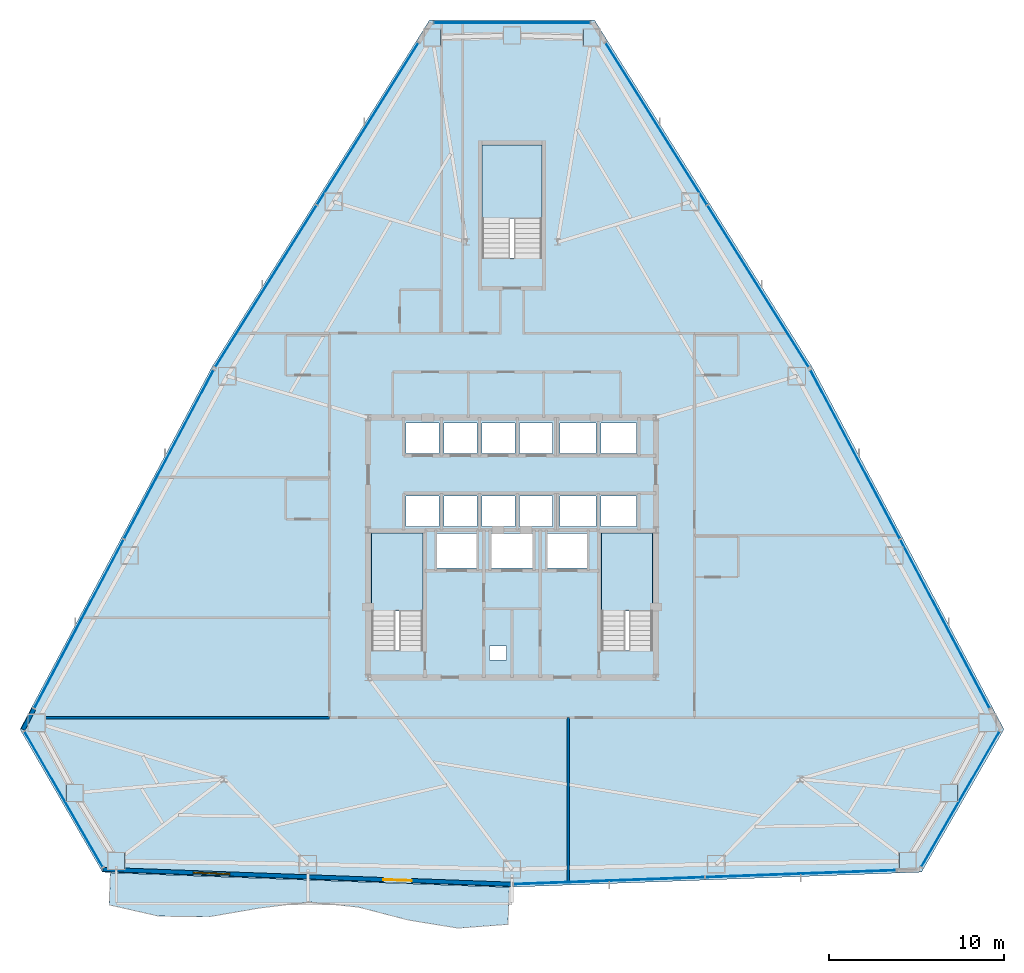
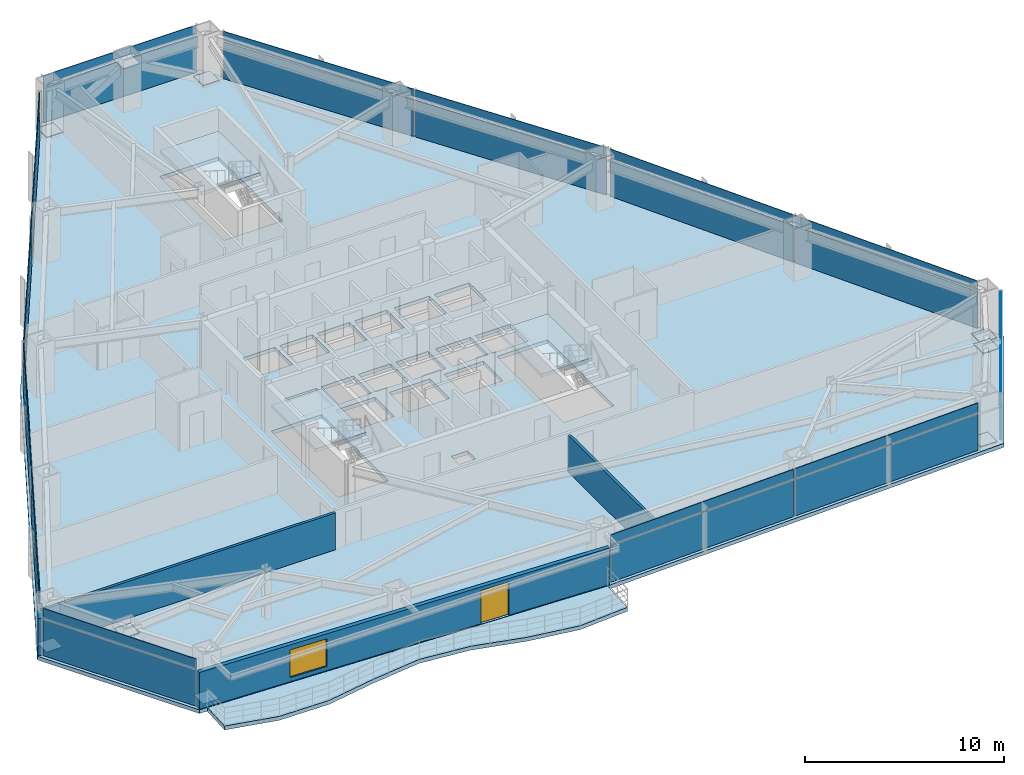
# One storey, part 8 of 13: 35 plates, 5 slabs, 4 walls, 1 door, 1 window, 2 openings, 11 elements without a shape of their own.
"""IFC4 building model written with IfcOpenShell, lengths in metres."""

from ifc_helpers import new_model, si_unit, direction, frame, frame_2d, origin, origin_2d, place, context, subcontext, project, spatial, polyline, rectangle, outline, extrude, source, transform, mapped, material, layer, layer_set, type_object, type_shapes, element, fill, aggregate, save


model = new_model("IFC4")

# Units and contexts
model_context = context("Model", 3, precision=1e-05, world=origin(), true_north=direction((0.0, 1.0)))
body_context = subcontext(model_context, "Body", "Model", "MODEL_VIEW")
ifc_project = project(units=[si_unit("LENGTHUNIT", "METRE"), si_unit("AREAUNIT", "SQUARE_METRE"), si_unit("VOLUMEUNIT", "CUBIC_METRE"), si_unit("PLANEANGLEUNIT", "RADIAN"), si_unit("MASSUNIT", "GRAM", prefix="KILO")], contexts=[model_context])

# Site, building, storey
site_placement = place(None, origin())
site = spatial("IfcSite", under=ifc_project, at=site_placement, CompositionType="ELEMENT")
building_placement = place(site_placement, origin())
building = spatial("IfcBuilding", under=site, at=building_placement, Name="Varakhsha Concourse Tower", CompositionType="ELEMENT")
storey_placement = place(building_placement, frame((0.0, 0.0, 92.60009765625)))
storey = spatial("IfcBuildingStorey", under=building, at=storey_placement, Name="L26", CompositionType="ELEMENT", Elevation=92.60009765625)

# Slab
ifc_material_1 = material(Name="Concrete fc 45 MPa", Category="concrete")
ifc_layer_1 = layer(ifc_material_1, 0.22998046875, Name="SL-FLR-230")
ifc_layer_set_1 = layer_set([ifc_layer_1], Name="Concrete fc 45 MPa")
slab_type_1 = type_object("IfcSlabType", Name="SL-FLR-230", PredefinedType="FLOOR", material=ifc_layer_set_1)
slab_1_placement = place(storey_placement, frame((0.0, 0.0, -0.22998046875)))
element("IfcSlab", 1, at=slab_1_placement, inside=storey, type_object=slab_type_1, Name="L26 Composite Structural Slab", PredefinedType="FLOOR", context=body_context, shape_type="SweptSolid", body=[
    extrude(outline(polyline([(44.699951171875, 53.859375), (35.300048828125, 53.859375), (22.8955078125, 34.0751953125), (11.964111328125, 13.440673828125), (16.664306640625, 5.300048828125), (40.0, 4.449462890625), (63.335693359375, 5.300048828125), (68.035888671875, 13.440673828125), (57.1044921875, 34.0751953125), (44.699951171875, 53.859375)]), holes=[polyline([(34.919921875, 17.93994140625), (34.919921875, 24.6298828125), (32.0, 24.6298828125), (32.0, 17.93994140625), (34.919921875, 17.93994140625)]), polyline([(48.02001953125, 17.93994140625), (48.02001953125, 24.6298828125), (45.10009765625, 24.6298828125), (45.10009765625, 17.93994140625), (48.02001953125, 17.93994140625)]), polyline([(41.699951171875, 40.300048828125), (41.699951171875, 46.75), (38.300048828125, 46.75), (38.300048828125, 40.300048828125), (41.699951171875, 40.300048828125)]), polyline([(33.9599609375, 29.159912109375), (35.840087890625, 29.159912109375), (35.840087890625, 30.89990234375), (33.9599609375, 30.89990234375), (33.9599609375, 29.159912109375)]), polyline([(36.1201171875, 29.159912109375), (38.0, 29.159912109375), (38.0, 30.89990234375), (36.1201171875, 30.89990234375), (36.1201171875, 29.159912109375)]), polyline([(38.280029296875, 29.159912109375), (40.159912109375, 29.159912109375), (40.159912109375, 30.89990234375), (38.280029296875, 30.89990234375), (38.280029296875, 29.159912109375)]), polyline([(40.43994140625, 29.159912109375), (42.320068359375, 29.159912109375), (42.320068359375, 30.89990234375), (40.43994140625, 30.89990234375), (40.43994140625, 29.159912109375)]), polyline([(33.9599609375, 25.0), (35.840087890625, 25.0), (35.840087890625, 26.739990234375), (33.9599609375, 26.739990234375), (33.9599609375, 25.0)]), polyline([(36.1201171875, 25.0), (38.0, 25.0), (38.0, 26.739990234375), (36.1201171875, 26.739990234375), (36.1201171875, 25.0)]), polyline([(38.280029296875, 25.0), (40.159912109375, 25.0), (40.159912109375, 26.739990234375), (38.280029296875, 26.739990234375), (38.280029296875, 25.0)]), polyline([(40.43994140625, 25.0), (42.320068359375, 25.0), (42.320068359375, 26.739990234375), (40.43994140625, 26.739990234375), (40.43994140625, 25.0)]), polyline([(42.739990234375, 29.159912109375), (44.780029296875, 29.159912109375), (44.780029296875, 30.89990234375), (42.739990234375, 30.89990234375), (42.739990234375, 29.159912109375)]), polyline([(45.06005859375, 29.159912109375), (47.10009765625, 29.159912109375), (47.10009765625, 30.89990234375), (45.06005859375, 30.89990234375), (45.06005859375, 29.159912109375)]), polyline([(42.739990234375, 25.0), (44.780029296875, 25.0), (44.780029296875, 26.739990234375), (42.739990234375, 26.739990234375), (42.739990234375, 25.0)]), polyline([(45.06005859375, 25.0), (47.10009765625, 25.0), (47.10009765625, 26.739990234375), (45.06005859375, 26.739990234375), (45.06005859375, 25.0)]), polyline([(35.7099609375, 22.639892578125), (37.989990234375, 22.639892578125), (37.989990234375, 24.60009765625), (35.7099609375, 24.60009765625), (35.7099609375, 22.639892578125)]), polyline([(42.010009765625, 22.639892578125), (44.2900390625, 22.639892578125), (44.2900390625, 24.60009765625), (42.010009765625, 24.60009765625), (42.010009765625, 22.639892578125)]), polyline([(38.81005859375, 22.639892578125), (41.18994140625, 22.639892578125), (41.18994140625, 24.60009765625), (38.81005859375, 24.60009765625), (38.81005859375, 22.639892578125)]), polyline([(38.719970703125, 17.39990234375), (39.679931640625, 17.39990234375), (39.679931640625, 18.199951171875), (38.719970703125, 18.199951171875), (38.719970703125, 17.39990234375)])]), origin(), (0.0, 0.0, 1.0), 0.22998046875),
])

# Stair, slab
stair_type_1 = type_object("IfcStairType", Name="ST-DOGLEG-1360", PredefinedType="HALF_TURN_STAIR", material=ifc_material_1)
stair_1_placement = place(storey_placement, origin())
stair_1 = element("IfcStair", 2, at=stair_1_placement, inside=storey, type_object=stair_type_1, Name="L26 Protected Exit Stair ST1", PredefinedType="HALF_TURN_STAIR")
ifc_layer_2 = layer(ifc_material_1, 0.199951171875, Name="SL-LAND-200")
ifc_layer_set_2 = layer_set([ifc_layer_2], Name="Concrete fc 45 MPa")
slab_type_2 = type_object("IfcSlabType", Name="SL-LAND-200", PredefinedType="LANDING", material=ifc_layer_set_2)
slab_2_placement = place(storey_placement, frame((0.0, 0.0, 1.39990234375)))
slab_2 = element("IfcSlab", 3, at=slab_2_placement, type_object=slab_type_2, Name="ST1 landing 1", PredefinedType="LANDING", context=body_context, shape_type="SweptSolid", body=[
    extrude(outline(polyline([(34.919921875, 20.179931640625), (34.919921875, 24.6298828125), (32.0, 24.6298828125), (32.0, 20.179931640625), (34.919921875, 20.179931640625)])), origin(), (0.0, 0.0, 1.0), 0.199951171875),
])
aggregate(stair_1, [slab_2])

stair_2_placement = place(storey_placement, origin())
stair_2 = element("IfcStair", 4, at=stair_2_placement, inside=storey, type_object=stair_type_1, Name="L26 Protected Exit Stair ST2", PredefinedType="HALF_TURN_STAIR")
slab_3_placement = place(storey_placement, frame((0.0, 0.0, 1.39990234375)))
slab_3 = element("IfcSlab", 5, at=slab_3_placement, type_object=slab_type_2, Name="ST2 landing 1", PredefinedType="LANDING", context=body_context, shape_type="SweptSolid", body=[
    extrude(outline(polyline([(48.02001953125, 20.179931640625), (48.02001953125, 24.6298828125), (45.10009765625, 24.6298828125), (45.10009765625, 20.179931640625), (48.02001953125, 20.179931640625)])), origin(), (0.0, 0.0, 1.0), 0.199951171875),
])
aggregate(stair_2, [slab_3])

stair_type_2 = type_object("IfcStairType", Name="ST-DOGLEG-1600", PredefinedType="HALF_TURN_STAIR", material=ifc_material_1)
stair_3_placement = place(storey_placement, origin())
stair_3 = element("IfcStair", 6, at=stair_3_placement, inside=storey, type_object=stair_type_2, Name="L26 Protected Exit Stair ST5", PredefinedType="HALF_TURN_STAIR")
slab_4_placement = place(storey_placement, frame((0.0, 0.0, 1.39990234375)))
slab_4 = element("IfcSlab", 7, at=slab_4_placement, type_object=slab_type_2, Name="ST5 landing 1", PredefinedType="LANDING", context=body_context, shape_type="SweptSolid", body=[
    extrude(outline(polyline([(41.699951171875, 42.5400390625), (41.699951171875, 46.75), (38.300048828125, 46.75), (38.300048828125, 42.5400390625), (41.699951171875, 42.5400390625)])), origin(), (0.0, 0.0, 1.0), 0.199951171875),
])
aggregate(stair_3, [slab_4])

# Slab
ifc_layer_3 = layer(ifc_material_1, 0.239990234375, Name="SL-TERR-240")
ifc_layer_set_3 = layer_set([ifc_layer_3], Name="Concrete fc 45 MPa")
slab_type_3 = type_object("IfcSlabType", Name="SL-TERR-240", PredefinedType="FLOOR", material=ifc_layer_set_3)
slab_5_placement = place(storey_placement, frame((0.0, 0.0, -0.239990234375)))
element("IfcSlab", 8, at=slab_5_placement, inside=storey, type_object=slab_type_3, Name="L26 Hotel Wave Sky-Loggia Balcony", PredefinedType="FLOOR", context=body_context, shape_type="SweptSolid", body=[
    extrude(outline(polyline([(17.11328125, 5.2685546875), (39.849609375, 4.43994140625), (39.7724609375, 2.32373046875), (36.9189453125, 2.110595703125), (34.08984375, 2.5703125), (31.270751953125, 3.302734375), (28.435791015625, 3.602294921875), (25.5771484375, 3.248291015625), (22.71337890625, 2.7548828125), (19.868896484375, 2.79248046875), (17.04638671875, 3.434814453125), (17.11328125, 5.2685546875)])), origin(), (0.0, 0.0, 1.0), 0.239990234375),
])

# Plates
ifc_material_2 = material(Name="Structural Steel ASTM A572 Grade 50", Category="steel")
ifc_layer_4 = layer(ifc_material_2, 0.030029296875, Name="PL-ENDCAP-950")
ifc_layer_set_4 = layer_set([ifc_layer_4], Name="Structural Steel ASTM A572 Grade 50")
plate_type_1 = type_object("IfcPlateType", Name="PL-ENDCAP-950", PredefinedType="USERDEFINED", material=ifc_layer_set_4)
shared_shape_1 = source(origin(), body_context, "Body", "SweptSolid", [
    extrude(rectangle(XDim=0.949951171875, YDim=0.949951171875, at=origin_2d()), origin(), (0.0, 0.0, 1.0), 0.030029296875),
])
type_shapes(plate_type_1, [shared_shape_1])
for number, where, z_axis, x_axis, name in (
    (9, (44.54150390625, 52.85986328125, 0.10498046875), (0.0, 0.0, 1.0), (1.0, 0.0, 0.0), "Hollow Section End Cap GP-NODE-L26-0244"),
    (10, (40.0, 52.9794921875, 2.65478515625), (0.0, 0.0, 1.0), (1.0, 0.0, 0.0), "Hollow Section End Cap GP-NODE-L26-0245"),
    (11, (35.45849609375, 52.85986328125, 0.10498046875), (0.0, 0.0, 1.0), (1.0, 0.0, 0.0), "Hollow Section End Cap GP-NODE-L26-0246"),
    (12, (12.908935546875, 13.80322265625, 0.10498046875), (0.0, 0.0, 1.0), (1.0, 0.0, 0.0), "Hollow Section End Cap GP-NODE-L26-0247"),
    (13, (15.076416015625, 9.810302734375, 2.65478515625), (0.0, 0.0, 1.0), (1.0, 0.0, 0.0), "Hollow Section End Cap GP-NODE-L26-0248"),
    (14, (17.45068359375, 5.93701171875, 0.10498046875), (0.0, 0.0, 1.0), (1.0, 0.0, 0.0), "Hollow Section End Cap GP-NODE-L26-0249"),
    (15, (62.54931640625, 5.93701171875, 0.10498046875), (0.0, 0.0, 1.0), (1.0, 0.0, 0.0), "Hollow Section End Cap GP-NODE-L26-0250"),
    (16, (64.923583984375, 9.810302734375, 2.65478515625), (0.0, 0.0, 1.0), (1.0, 0.0, 0.0), "Hollow Section End Cap GP-NODE-L26-0251"),
    (17, (67.091064453125, 13.80322265625, 0.10498046875), (0.0, 0.0, 1.0), (1.0, 0.0, 0.0), "Hollow Section End Cap GP-NODE-L26-0252"),
):
    element("IfcPlate", number, at=place(storey_placement, frame(where, z_axis=z_axis, x_axis=x_axis)), inside=storey, type_object=plate_type_1, Name=name, ObjectType="END PLATE", PredefinedType="USERDEFINED", context=body_context, shape_type="MappedRepresentation", body=[
        mapped(shared_shape_1, transform((0.0, 0.0, 0.0), scale=1.0)),
    ])

# Curtain wall, plate
ifc_material_3 = material(Name="Anodised Bronze Architectural Aluminium AA 6063-T6", Category="aluminium")
ifc_layer_5 = layer(ifc_material_3, 0.199951171875, Name="CW-SYS-03")
ifc_layer_set_5 = layer_set([ifc_layer_5], Name="Anodised Bronze Architectural Aluminium AA 6063-T6")
curtain_wall_type = type_object("IfcCurtainWallType", Name="CW-SYS-03", PredefinedType="NOTDEFINED", material=ifc_layer_set_5)
curtain_wall_1_placement = place(storey_placement, origin())
curtain_wall_1 = element("IfcCurtainWall", 18, at=curtain_wall_1_placement, inside=storey, type_object=curtain_wall_type, Name="L26 Chamfer Curtain Wall F1", PredefinedType="NOTDEFINED")
ifc_material_4 = material(Name="Insulated Anodised Bronze Aluminium Spandrel 36 mm", Category="aluminium")
ifc_layer_6 = layer(ifc_material_4, 0.035888671875, Name="CWP-SPN-36")
ifc_layer_set_6 = layer_set([ifc_layer_6], Name="Insulated Anodised Bronze Aluminium Spandrel 36 mm")
plate_type_2 = type_object("IfcPlateType", Name="CWP-SPN-36", PredefinedType="USERDEFINED", material=ifc_layer_set_6)
shared_shape_2 = source(origin(), body_context, "Body", "SweptSolid", [
    extrude(rectangle(XDim=8.881103515625, YDim=0.035888671875, at=origin_2d()), origin(), (0.0, 0.0, 1.0), 2.2509765625),
])
type_shapes(plate_type_2, [shared_shape_2])
plate_1_placement = place(storey_placement, frame((40.0, 53.699462890625, 0.034423828125), z_axis=(0.0, 0.0, 1.0), x_axis=(1.0, 0.0, 0.0)))
plate_1 = element("IfcPlate", 19, at=plate_1_placement, type_object=plate_type_2, Name="CW-L26-F1 Panel 00-00", ObjectType="SPANDREL", PredefinedType="USERDEFINED", context=body_context, shape_type="MappedRepresentation", body=[
    mapped(shared_shape_2, transform((0.0, 0.0, 0.0), scale=1.0)),
])

curtain_wall_2_placement = place(storey_placement, origin())
curtain_wall_2 = element("IfcCurtainWall", 20, at=curtain_wall_2_placement, inside=storey, type_object=curtain_wall_type, Name="L26 Chamfer Curtain Wall F4", PredefinedType="NOTDEFINED")
plate_2_placement = place(storey_placement, frame((14.452880859375, 9.4501953125, 0.034423828125), z_axis=(0.0, 0.0, 1.0), x_axis=(-0.5, 0.866025403784, 0.0)))
plate_2 = element("IfcPlate", 21, at=plate_2_placement, type_object=plate_type_2, Name="CW-L26-F4 Panel 00-00", ObjectType="SPANDREL", PredefinedType="USERDEFINED", context=body_context, shape_type="MappedRepresentation", body=[
    mapped(shared_shape_2, transform((0.0, 0.0, 0.0), scale=1.0)),
])

curtain_wall_3_placement = place(storey_placement, origin())
curtain_wall_3 = element("IfcCurtainWall", 22, at=curtain_wall_3_placement, inside=storey, type_object=curtain_wall_type, Name="L26 Chamfer Curtain Wall F7", PredefinedType="NOTDEFINED")
plate_3_placement = place(storey_placement, frame((65.547119140625, 9.4501953125, 0.034423828125), z_axis=(0.0, 0.0, 1.0), x_axis=(-0.5, -0.866025403784, 0.0)))
plate_3 = element("IfcPlate", 23, at=plate_3_placement, type_object=plate_type_2, Name="CW-L26-F7 Panel 00-00", ObjectType="SPANDREL", PredefinedType="USERDEFINED", context=body_context, shape_type="MappedRepresentation", body=[
    mapped(shared_shape_2, transform((0.0, 0.0, 0.0), scale=1.0)),
])

# Plate
ifc_material_5 = material(Name="Glazed Turquoise-Bronze Ceramic Spandrel Panel 38 mm", Category="ceramic")
ifc_layer_7 = layer(ifc_material_5, 0.0380859375, Name="CWP-SPN-38")
ifc_layer_set_7 = layer_set([ifc_layer_7], Name="Glazed Turquoise-Bronze Ceramic Spandrel Panel 38 mm")
plate_type_3 = type_object("IfcPlateType", Name="CWP-SPN-38", PredefinedType="USERDEFINED", material=ifc_layer_set_7)
shared_shape_3 = source(origin(), body_context, "Body", "SweptSolid", [
    extrude(rectangle(XDim=8.881103515625, YDim=0.0380859375, at=origin_2d()), origin(), (0.0, 0.0, 1.0), 0.5810546875),
])
plate_4_placement = place(storey_placement, frame((40.0, 53.699462890625, 2.3544921875), z_axis=(0.0, 0.0, 1.0), x_axis=(1.0, 0.0, 0.0)))
plate_4 = element("IfcPlate", 24, at=plate_4_placement, type_object=plate_type_3, Name="CW-L26-F1 Panel 00-01", ObjectType="SPANDREL", PredefinedType="USERDEFINED", context=body_context, shape_type="MappedRepresentation", body=[
    mapped(shared_shape_3, transform((0.0, 0.0, 0.0), scale=1.0)),
])

aggregate(curtain_wall_1, [plate_1, plate_4])

plate_5_placement = place(storey_placement, frame((14.452880859375, 9.4501953125, 2.3544921875), z_axis=(0.0, 0.0, 1.0), x_axis=(-0.5, 0.866025403784, 0.0)))
plate_5 = element("IfcPlate", 25, at=plate_5_placement, type_object=plate_type_3, Name="CW-L26-F4 Panel 00-01", ObjectType="SPANDREL", PredefinedType="USERDEFINED", context=body_context, shape_type="MappedRepresentation", body=[
    mapped(shared_shape_3, transform((0.0, 0.0, 0.0), scale=1.0)),
])

aggregate(curtain_wall_2, [plate_2, plate_5])

plate_6_placement = place(storey_placement, frame((65.547119140625, 9.4501953125, 2.3544921875), z_axis=(0.0, 0.0, 1.0), x_axis=(-0.5, -0.866025403784, 0.0)))
plate_6 = element("IfcPlate", 26, at=plate_6_placement, type_object=plate_type_3, Name="CW-L26-F7 Panel 00-01", ObjectType="SPANDREL", PredefinedType="USERDEFINED", context=body_context, shape_type="MappedRepresentation", body=[
    mapped(shared_shape_3, transform((0.0, 0.0, 0.0), scale=1.0)),
])

aggregate(curtain_wall_3, [plate_3, plate_6])

# Curtain wall, plates
curtain_wall_4_placement = place(storey_placement, origin())
curtain_wall_4 = element("IfcCurtainWall", 27, at=curtain_wall_4_placement, inside=storey, type_object=curtain_wall_type, Name="L26 Crystal Curtain Wall F2", PredefinedType="NOTDEFINED")
ifc_material_6 = material(Name="Low-E Triple Insulating Glass IGU 44 mm", Category="glass")
ifc_layer_8 = layer(ifc_material_6, 0.0439453125, Name="CWP-IGU-44")
ifc_layer_set_8 = layer_set([ifc_layer_8], Name="Low-E Triple Insulating Glass IGU 44 mm")
plate_type_4 = type_object("IfcPlateType", Name="CWP-IGU-44", PredefinedType="CURTAIN_PANEL", material=ifc_layer_set_8)
shared_shape_4 = source(origin(), body_context, "Body", "SweptSolid", [
    extrude(rectangle(XDim=10.8466796875, YDim=0.0439453125, at=origin_2d()), origin(), (0.0, 0.0, 1.0), 2.2509765625),
])
type_shapes(plate_type_4, [shared_shape_4])
plate_7_placement = place(storey_placement, frame((25.9755859375, 38.686279296875, 0.034423828125), z_axis=(0.0, 0.0, 1.0), x_axis=(0.531209317405, 0.847240615824, 0.0)))
plate_7 = element("IfcPlate", 28, at=plate_7_placement, type_object=plate_type_4, Name="CW-L26-F2 Panel 00-00", PredefinedType="CURTAIN_PANEL", context=body_context, shape_type="MappedRepresentation", body=[
    mapped(shared_shape_4, transform((0.0, 0.0, 0.0), scale=1.0)),
])
plate_8_placement = place(storey_placement, frame((31.779296875, 47.943115234375, 0.034423828125), z_axis=(0.0, 0.0, 1.0), x_axis=(0.531209317405, 0.847240615824, 0.0)))
plate_8 = element("IfcPlate", 29, at=plate_8_placement, type_object=plate_type_4, Name="CW-L26-F2 Panel 01-00", PredefinedType="CURTAIN_PANEL", context=body_context, shape_type="MappedRepresentation", body=[
    mapped(shared_shape_4, transform((0.0, 0.0, 0.0), scale=1.0)),
])

curtain_wall_5_placement = place(storey_placement, origin())
curtain_wall_5 = element("IfcCurtainWall", 30, at=curtain_wall_5_placement, inside=storey, type_object=curtain_wall_type, Name="L26 Crystal Curtain Wall F3", PredefinedType="NOTDEFINED")
plate_9_placement = place(storey_placement, frame((15.32763671875, 19.44775390625, 0.034423828125), z_axis=(0.0, 0.0, 1.0), x_axis=(0.468124153157, 0.883662705579, 0.0)))
plate_9 = element("IfcPlate", 31, at=plate_9_placement, type_object=plate_type_4, Name="CW-L26-F3 Panel 00-00", PredefinedType="CURTAIN_PANEL", context=body_context, shape_type="MappedRepresentation", body=[
    mapped(shared_shape_4, transform((0.0, 0.0, 0.0), scale=1.0)),
])
plate_10_placement = place(storey_placement, frame((20.442138671875, 29.102294921875, 0.034423828125), z_axis=(0.0, 0.0, 1.0), x_axis=(0.468124153157, 0.883662705579, 0.0)))
plate_10 = element("IfcPlate", 32, at=plate_10_placement, type_object=plate_type_4, Name="CW-L26-F3 Panel 01-00", PredefinedType="CURTAIN_PANEL", context=body_context, shape_type="MappedRepresentation", body=[
    mapped(shared_shape_4, transform((0.0, 0.0, 0.0), scale=1.0)),
])

curtain_wall_6_placement = place(storey_placement, origin())
curtain_wall_6 = element("IfcCurtainWall", 33, at=curtain_wall_6_placement, inside=storey, type_object=curtain_wall_type, Name="L26 Crystal Curtain Wall F6", PredefinedType="NOTDEFINED")
plate_11_placement = place(storey_placement, frame((56.45166015625, 5.209228515625, 0.034423828125), z_axis=(0.0, 0.0, 1.0), x_axis=(-0.999336427987, -0.03642394403, 0.0)))
plate_11 = element("IfcPlate", 34, at=plate_11_placement, type_object=plate_type_4, Name="CW-L26-F6 Panel 00-00", PredefinedType="CURTAIN_PANEL", context=body_context, shape_type="MappedRepresentation", body=[
    mapped(shared_shape_4, transform((0.0, 0.0, 0.0), scale=1.0)),
])
plate_12_placement = place(storey_placement, frame((45.533203125, 4.811279296875, 0.034423828125), z_axis=(0.0, 0.0, 1.0), x_axis=(-0.999336427987, -0.03642394403, 0.0)))
plate_12 = element("IfcPlate", 35, at=plate_12_placement, type_object=plate_type_4, Name="CW-L26-F6 Panel 01-00", PredefinedType="CURTAIN_PANEL", context=body_context, shape_type="MappedRepresentation", body=[
    mapped(shared_shape_4, transform((0.0, 0.0, 0.0), scale=1.0)),
])

curtain_wall_7_placement = place(storey_placement, origin())
curtain_wall_7 = element("IfcCurtainWall", 36, at=curtain_wall_7_placement, inside=storey, type_object=curtain_wall_type, Name="L26 Crystal Curtain Wall F8", PredefinedType="NOTDEFINED")
plate_13_placement = place(storey_placement, frame((59.557861328125, 29.102294921875, 0.034423828125), z_axis=(0.0, 0.0, 1.0), x_axis=(0.468124153157, -0.883662705579, 0.0)))
plate_13 = element("IfcPlate", 37, at=plate_13_placement, type_object=plate_type_4, Name="CW-L26-F8 Panel 00-00", PredefinedType="CURTAIN_PANEL", context=body_context, shape_type="MappedRepresentation", body=[
    mapped(shared_shape_4, transform((0.0, 0.0, 0.0), scale=1.0)),
])
plate_14_placement = place(storey_placement, frame((64.67236328125, 19.44775390625, 0.034423828125), z_axis=(0.0, 0.0, 1.0), x_axis=(0.468124153157, -0.883662705579, 0.0)))
plate_14 = element("IfcPlate", 38, at=plate_14_placement, type_object=plate_type_4, Name="CW-L26-F8 Panel 01-00", PredefinedType="CURTAIN_PANEL", context=body_context, shape_type="MappedRepresentation", body=[
    mapped(shared_shape_4, transform((0.0, 0.0, 0.0), scale=1.0)),
])

curtain_wall_8_placement = place(storey_placement, origin())
curtain_wall_8 = element("IfcCurtainWall", 39, at=curtain_wall_8_placement, inside=storey, type_object=curtain_wall_type, Name="L26 Crystal Curtain Wall F9", PredefinedType="NOTDEFINED")
plate_15_placement = place(storey_placement, frame((48.220703125, 47.943115234375, 0.034423828125), z_axis=(0.0, 0.0, 1.0), x_axis=(0.531209317405, -0.847240615824, 0.0)))
plate_15 = element("IfcPlate", 40, at=plate_15_placement, type_object=plate_type_4, Name="CW-L26-F9 Panel 00-00", PredefinedType="CURTAIN_PANEL", context=body_context, shape_type="MappedRepresentation", body=[
    mapped(shared_shape_4, transform((0.0, 0.0, 0.0), scale=1.0)),
])
plate_16_placement = place(storey_placement, frame((54.0244140625, 38.686279296875, 0.034423828125), z_axis=(0.0, 0.0, 1.0), x_axis=(0.531209317405, -0.847240615824, 0.0)))
plate_16 = element("IfcPlate", 41, at=plate_16_placement, type_object=plate_type_4, Name="CW-L26-F9 Panel 01-00", PredefinedType="CURTAIN_PANEL", context=body_context, shape_type="MappedRepresentation", body=[
    mapped(shared_shape_4, transform((0.0, 0.0, 0.0), scale=1.0)),
])

# Plate
shared_shape_5 = source(origin(), body_context, "Body", "SweptSolid", [
    extrude(rectangle(XDim=10.8466796875, YDim=0.0380859375, at=origin_2d()), origin(), (0.0, 0.0, 1.0), 0.5810546875),
])
type_shapes(plate_type_3, [shared_shape_3, shared_shape_5])
plate_17_placement = place(storey_placement, frame((25.9755859375, 38.686279296875, 2.3544921875), z_axis=(0.0, 0.0, 1.0), x_axis=(0.531209317405, 0.847240615824, 0.0)))
plate_17 = element("IfcPlate", 42, at=plate_17_placement, type_object=plate_type_3, Name="CW-L26-F2 Panel 00-01", ObjectType="SPANDREL", PredefinedType="USERDEFINED", context=body_context, shape_type="MappedRepresentation", body=[
    mapped(shared_shape_5, transform((0.0, 0.0, 0.0), scale=1.0)),
])

plate_18_placement = place(storey_placement, frame((31.779296875, 47.943115234375, 2.3544921875), z_axis=(0.0, 0.0, 1.0), x_axis=(0.531209317405, 0.847240615824, 0.0)))
plate_18 = element("IfcPlate", 43, at=plate_18_placement, type_object=plate_type_3, Name="CW-L26-F2 Panel 01-01", ObjectType="SPANDREL", PredefinedType="USERDEFINED", context=body_context, shape_type="MappedRepresentation", body=[
    mapped(shared_shape_5, transform((0.0, 0.0, 0.0), scale=1.0)),
])

aggregate(curtain_wall_4, [plate_7, plate_17, plate_8, plate_18])

plate_19_placement = place(storey_placement, frame((15.32763671875, 19.44775390625, 2.3544921875), z_axis=(0.0, 0.0, 1.0), x_axis=(0.468124153157, 0.883662705579, 0.0)))
plate_19 = element("IfcPlate", 44, at=plate_19_placement, type_object=plate_type_3, Name="CW-L26-F3 Panel 00-01", ObjectType="SPANDREL", PredefinedType="USERDEFINED", context=body_context, shape_type="MappedRepresentation", body=[
    mapped(shared_shape_5, transform((0.0, 0.0, 0.0), scale=1.0)),
])

plate_20_placement = place(storey_placement, frame((20.442138671875, 29.102294921875, 2.3544921875), z_axis=(0.0, 0.0, 1.0), x_axis=(0.468124153157, 0.883662705579, 0.0)))
plate_20 = element("IfcPlate", 45, at=plate_20_placement, type_object=plate_type_3, Name="CW-L26-F3 Panel 01-01", ObjectType="SPANDREL", PredefinedType="USERDEFINED", context=body_context, shape_type="MappedRepresentation", body=[
    mapped(shared_shape_5, transform((0.0, 0.0, 0.0), scale=1.0)),
])

aggregate(curtain_wall_5, [plate_9, plate_19, plate_10, plate_20])

plate_21_placement = place(storey_placement, frame((56.45166015625, 5.209228515625, 2.3544921875), z_axis=(0.0, 0.0, 1.0), x_axis=(-0.999336427987, -0.03642394403, 0.0)))
plate_21 = element("IfcPlate", 46, at=plate_21_placement, type_object=plate_type_3, Name="CW-L26-F6 Panel 00-01", ObjectType="SPANDREL", PredefinedType="USERDEFINED", context=body_context, shape_type="MappedRepresentation", body=[
    mapped(shared_shape_5, transform((0.0, 0.0, 0.0), scale=1.0)),
])

plate_22_placement = place(storey_placement, frame((45.533203125, 4.811279296875, 2.3544921875), z_axis=(0.0, 0.0, 1.0), x_axis=(-0.999336427987, -0.03642394403, 0.0)))
plate_22 = element("IfcPlate", 47, at=plate_22_placement, type_object=plate_type_3, Name="CW-L26-F6 Panel 01-01", ObjectType="SPANDREL", PredefinedType="USERDEFINED", context=body_context, shape_type="MappedRepresentation", body=[
    mapped(shared_shape_5, transform((0.0, 0.0, 0.0), scale=1.0)),
])

aggregate(curtain_wall_6, [plate_11, plate_21, plate_12, plate_22])

plate_23_placement = place(storey_placement, frame((59.557861328125, 29.102294921875, 2.3544921875), z_axis=(0.0, 0.0, 1.0), x_axis=(0.468124153157, -0.883662705579, 0.0)))
plate_23 = element("IfcPlate", 48, at=plate_23_placement, type_object=plate_type_3, Name="CW-L26-F8 Panel 00-01", ObjectType="SPANDREL", PredefinedType="USERDEFINED", context=body_context, shape_type="MappedRepresentation", body=[
    mapped(shared_shape_5, transform((0.0, 0.0, 0.0), scale=1.0)),
])

plate_24_placement = place(storey_placement, frame((64.67236328125, 19.44775390625, 2.3544921875), z_axis=(0.0, 0.0, 1.0), x_axis=(0.468124153157, -0.883662705579, 0.0)))
plate_24 = element("IfcPlate", 49, at=plate_24_placement, type_object=plate_type_3, Name="CW-L26-F8 Panel 01-01", ObjectType="SPANDREL", PredefinedType="USERDEFINED", context=body_context, shape_type="MappedRepresentation", body=[
    mapped(shared_shape_5, transform((0.0, 0.0, 0.0), scale=1.0)),
])

aggregate(curtain_wall_7, [plate_13, plate_23, plate_14, plate_24])

plate_25_placement = place(storey_placement, frame((48.220703125, 47.943115234375, 2.3544921875), z_axis=(0.0, 0.0, 1.0), x_axis=(0.531209317405, -0.847240615824, 0.0)))
plate_25 = element("IfcPlate", 50, at=plate_25_placement, type_object=plate_type_3, Name="CW-L26-F9 Panel 00-01", ObjectType="SPANDREL", PredefinedType="USERDEFINED", context=body_context, shape_type="MappedRepresentation", body=[
    mapped(shared_shape_5, transform((0.0, 0.0, 0.0), scale=1.0)),
])

plate_26_placement = place(storey_placement, frame((54.0244140625, 38.686279296875, 2.3544921875), z_axis=(0.0, 0.0, 1.0), x_axis=(0.531209317405, -0.847240615824, 0.0)))
plate_26 = element("IfcPlate", 51, at=plate_26_placement, type_object=plate_type_3, Name="CW-L26-F9 Panel 01-01", ObjectType="SPANDREL", PredefinedType="USERDEFINED", context=body_context, shape_type="MappedRepresentation", body=[
    mapped(shared_shape_5, transform((0.0, 0.0, 0.0), scale=1.0)),
])

aggregate(curtain_wall_8, [plate_15, plate_25, plate_16, plate_26])

# Wall
ifc_layer_9 = layer(ifc_material_1, 0.239990234375, Name="WL-EXT-CRN-240")
ifc_layer_set_9 = layer_set([ifc_layer_9], Name="Concrete fc 45 MPa")
wall_type_1 = type_object("IfcWallType", Name="WL-EXT-CRN-240", PredefinedType="SHEAR", material=ifc_layer_set_9)
wall_1_placement = place(storey_placement, frame((12.752685546875, 14.58740234375, 0.0), z_axis=(0.0, 0.0, 1.0), x_axis=(-0.468058524958, -0.883697469281, 0.0)))
element("IfcWall", 52, at=wall_1_placement, inside=storey, type_object=wall_type_1, Name="L26 Wind-Corner Shoulder Wall F3", PredefinedType="SHEAR", context=body_context, shape_type="SweptSolid", body=[
    extrude(rectangle(XDim=1.3134765625, YDim=0.239990234375, at=frame_2d((0.65673828125, 0.0))), origin(), (0.0, 0.0, 1.0), 2.2529296875),
])

# Wall, openings, door, window
wall_2_placement = place(storey_placement, frame((39.98583984375, 4.610107421875, 0.0), z_axis=(0.0, 0.0, 1.0), x_axis=(-0.999336382455, 0.036425193232, 0.0)))
wall_2 = element("IfcWall", 53, at=wall_2_placement, inside=storey, type_object=wall_type_1, Name="L26 Sky-Loggia Facade Wall", PredefinedType="SHEAR", context=body_context, shape_type="SweptSolid", body=[
    extrude(rectangle(XDim=23.311279296875, YDim=0.239990234375, at=frame_2d((11.65576171875, 0.0))), origin(), (0.0, 0.0, 1.0), 2.2529296875),
])
opening_1_placement = place(wall_2_placement, frame((5.714111328125, 0.0, 0.0)))
opening_1 = element("IfcOpeningElement", 54, at=opening_1_placement, cuts=wall_2, Name="Opening DT-02", PredefinedType="OPENING", context=body_context, shape_type="SweptSolid", body=[
    extrude(rectangle(XDim=1.60009765625, YDim=2.0400390625, at=frame_2d((0.800048828125, 1.02001953125))), frame((0.0, 0.1298828125, 0.0), z_axis=(0.0, -1.0, 0.0), x_axis=(1.0, 0.0, 0.0)), (0.0, 0.0, 1.0), 0.260009765625),
])
opening_2_placement = place(wall_2_placement, frame((16.068115234375, 0.0, 0.25)))
opening_2 = element("IfcOpeningElement", 55, at=opening_2_placement, cuts=wall_2, Name="Opening W-04", PredefinedType="OPENING", context=body_context, shape_type="SweptSolid", body=[
    extrude(rectangle(XDim=2.10009765625, YDim=1.699951171875, at=frame_2d((1.050048828125, 0.85009765625))), frame((0.0, 0.1298828125, 0.0), z_axis=(0.0, -1.0, 0.0), x_axis=(1.0, 0.0, 0.0)), (0.0, 0.0, 1.0), 0.260009765625),
])
door_type = type_object("IfcDoorType", Name="DR-LOGGIA-1600", OperationType="DOUBLE_DOOR_SLIDING", PredefinedType="DOOR", material=ifc_material_3)
door_placement = place(opening_1_placement, origin())
door = element("IfcDoor", 56, at=door_placement, inside=storey, type_object=door_type, Name="L26 Sky-Loggia Sliding Glass Door", OperationType="SINGLE_SWING_LEFT", OverallHeight=2.0400390625, OverallWidth=1.60009765625, PredefinedType="DOOR", context=body_context, shape_type="SweptSolid", body=[
    extrude(rectangle(XDim=1.60009765625, YDim=2.0400390625, at=frame_2d((0.800048828125, 1.02001953125))), frame((0.0, 0.02490234375, 0.0), z_axis=(0.0, -1.0, 0.0), x_axis=(1.0, 0.0, 0.0)), (0.0, 0.0, 1.0), 0.050048828125),
])
fill(opening_1, door)
window_type = type_object("IfcWindowType", Name="WN-LOGGIA-2100", PartitioningType="SINGLE_PANEL", PredefinedType="WINDOW", material=ifc_material_6)
window_placement = place(opening_2_placement, origin())
window = element("IfcWindow", 57, at=window_placement, inside=storey, type_object=window_type, Name="L26 Sky-Loggia Picture Window 1", OverallHeight=1.699951171875, OverallWidth=2.10009765625, PartitioningType="SINGLE_PANEL", PredefinedType="WINDOW", context=body_context, shape_type="SweptSolid", body=[
    extrude(rectangle(XDim=2.10009765625, YDim=1.699951171875, at=frame_2d((1.050048828125, 0.85009765625))), frame((0.0, 0.030029296875, 0.0), z_axis=(0.0, -1.0, 0.0), x_axis=(1.0, 0.0, 0.0)), (0.0, 0.0, 1.0), 0.06005859375),
])
fill(opening_2, window)

# Walls
ifc_material_7 = material(Name="Fire-Rated Type X Gypsum Partition Assembly", Category="gypsum")
ifc_layer_10 = layer(ifc_material_7, 0.14990234375, Name="WL-PART-150")
ifc_layer_set_10 = layer_set([ifc_layer_10], Name="Fire-Rated Type X Gypsum Partition Assembly")
wall_type_2 = type_object("IfcWallType", Name="WL-PART-150", PredefinedType="PARTITIONING", material=ifc_layer_set_10)
wall_3_placement = place(storey_placement, frame((43.199951171875, 4.731201171875, 0.0), z_axis=(0.0, 0.0, 1.0), x_axis=(0.0, 1.0, 0.0)))
element("IfcWall", 58, at=wall_3_placement, inside=storey, type_object=wall_type_2, Name="L26 Wall HDIV-S1-L26", PredefinedType="PARTITIONING", context=body_context, shape_type="SweptSolid", body=[
    extrude(rectangle(XDim=9.368896484375, YDim=0.14990234375, at=frame_2d((4.6845703125, 0.0))), origin(), (0.0, 0.0, 1.0), 2.2578125),
])
wall_4_placement = place(storey_placement, frame((12.500244140625, 14.10009765625, 0.0), z_axis=(0.0, 0.0, 1.0), x_axis=(1.0, 0.0, 0.0)))
element("IfcWall", 59, at=wall_4_placement, inside=storey, type_object=wall_type_2, Name="L26 Wall HDIV-WB0-L26", PredefinedType="PARTITIONING", context=body_context, shape_type="SweptSolid", body=[
    extrude(rectangle(XDim=17.099853515625, YDim=0.14990234375, at=frame_2d((8.5498046875, 0.0))), origin(), (0.0, 0.0, 1.0), 2.2578125),
])

save(model, "model.ifc")
